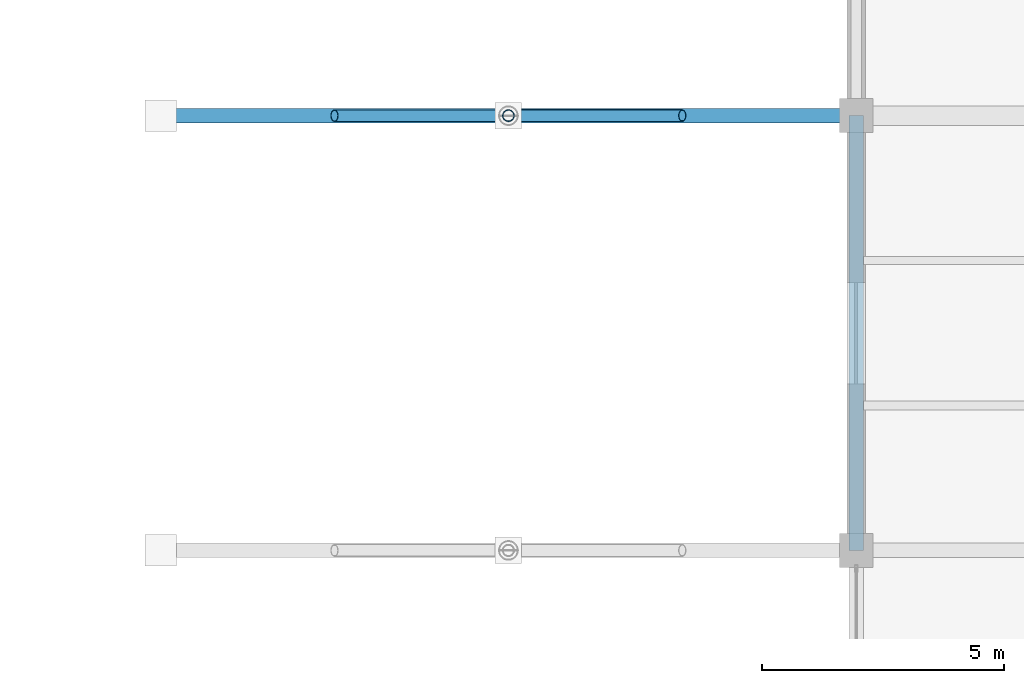
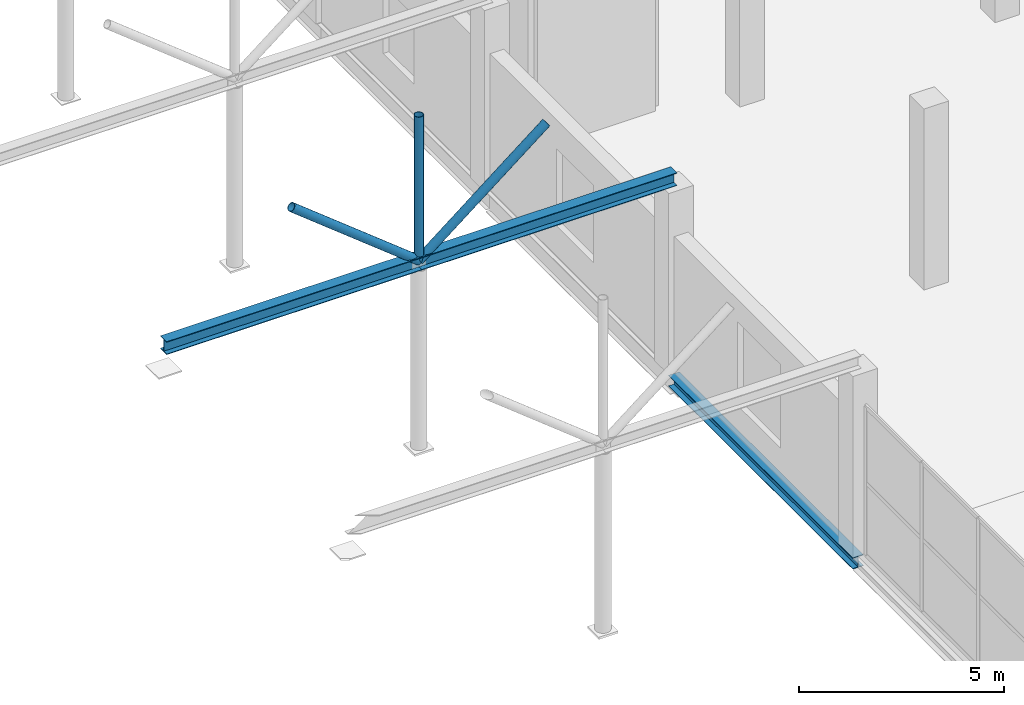
# One storey, part 60 of 147: 3 beams, 3 members.
"""IFC4 building model written with IfcOpenShell, lengths in metres."""

from ifc_helpers import new_model, si_unit, direction, frame, origin, origin_2d, place, context, subcontext, project, spatial, hollow_circle, i_section, extrude, material, material_profile, profile_set, type_object, element, save


model = new_model("IFC4")

# Units and contexts
model_context = context("Model", 3, precision=1e-05, world=origin(), true_north=direction((0.0, 1.0)))
body_context = subcontext(model_context, "Body", "Model", "MODEL_VIEW")
ifc_project = project(units=[si_unit("LENGTHUNIT", "METRE"), si_unit("AREAUNIT", "SQUARE_METRE"), si_unit("VOLUMEUNIT", "CUBIC_METRE"), si_unit("PLANEANGLEUNIT", "RADIAN"), si_unit("MASSUNIT", "GRAM", prefix="KILO")], contexts=[model_context])

# Site, building, storey
site_placement = place(None, origin())
site = spatial("IfcSite", under=ifc_project, at=site_placement, CompositionType="ELEMENT")
building_placement = place(site_placement, origin())
building = spatial("IfcBuilding", under=site, at=building_placement, Name="Sundgate Opera House", CompositionType="ELEMENT")
storey_placement = place(building_placement, frame((0.0, 0.0, 6.0)))
storey = spatial("IfcBuildingStorey", under=building, at=storey_placement, Name="L01", CompositionType="ELEMENT", Elevation=6.0)

# Beams
ifc_material_1 = material(Name="Steel S355J2", Category="steel")
ifc_material_profile_1 = material_profile(ifc_material_1, i_section(OverallWidth=0.300048828125, OverallDepth=0.330078125, WebThickness=0.009521484375, FlangeThickness=0.0166015625, at=origin_2d()), Name="HEA 340")
ifc_profile_set_1 = profile_set([ifc_material_profile_1], Name="Steel S355J2")
beam_type_1 = type_object("IfcBeamType", Name="BM-GR-HEA340", PredefinedType="BEAM", material=ifc_profile_set_1)
beam_placement = place(storey_placement, frame((95.39990234375, 69.0, -0.465087890625), z_axis=(0.0, 1.0, 0.0), x_axis=(-1.0, 0.0, 0.0)))
element("IfcBeam", 1, at=beam_placement, inside=storey, type_object=beam_type_1, Name="L01 Primary N-S Girder B1151", PredefinedType="BEAM", context=body_context, shape_type="SweptSolid", body=[
    extrude(i_section(OverallWidth=0.300048828125, OverallDepth=0.330078125, WebThickness=0.009521484375, FlangeThickness=0.0166015625, at=origin_2d()), origin(), (0.0, 0.0, 1.0), 9.0),
])
ifc_material_2 = material(Name="Steel S355J2", Category="steel")
ifc_material_profile_2 = material_profile(ifc_material_2, i_section(OverallWidth=0.300048828125, OverallDepth=0.389892578125, WebThickness=0.010986328125, FlangeThickness=0.01904296875, at=origin_2d()), Name="HEA 400")
ifc_profile_set_2 = profile_set([ifc_material_profile_2], Name="Steel S355J2")
beam_type_2 = type_object("IfcBeamType", Name="BM-GR-HEA400", PredefinedType="BEAM", material=ifc_profile_set_2)
for number, where, z_axis, x_axis, name in (
    (2, (81.0, 78.0, 5.5849609375), (1.0, 0.0, 0.0), (0.0, 1.0, 0.0), "L01 Passage Arch Tie Beam B3409"),
    (3, (88.199951171875, 78.0, 5.5849609375), (1.0, 0.0, 0.0), (0.0, 1.0, 0.0), "L01 Passage Arch Tie Beam B3410"),
):
    element("IfcBeam", number, at=place(storey_placement, frame(where, z_axis=z_axis, x_axis=x_axis)), inside=storey, type_object=beam_type_2, Name=name, PredefinedType="BEAM", context=body_context, shape_type="SweptSolid", body=[
        extrude(i_section(OverallWidth=0.300048828125, OverallDepth=0.389892578125, WebThickness=0.010986328125, FlangeThickness=0.01904296875, at=origin_2d()), origin(), (0.0, 0.0, 1.0), 7.199951171875),
    ])

# Members
ifc_material_3 = material(Name="Steel S355J2", Category="steel")
ifc_material_profile_3 = material_profile(ifc_material_3, hollow_circle(Radius=0.122314453125, WallThickness=0.012451171875, at=origin_2d()), Name="CHS 244.5x12.5")
ifc_profile_set_3 = profile_set([ifc_material_profile_3], Name="Steel S355J2")
member_type = type_object("IfcMemberType", Name="MB-STRUT-CHS244", PredefinedType="STRUT", material=ifc_profile_set_3)
member_1_placement = place(storey_placement, frame((88.199951171875, 78.0, 5.594970703125), z_axis=(-0.78350570776, 0.0, 0.621384587762), x_axis=(0.0, -1.0, 0.0)))
element("IfcMember", 4, at=member_1_placement, inside=storey, type_object=member_type, Name="Passage Arch Spandrel Strut M0339", PredefinedType="STRUT", context=body_context, shape_type="SweptSolid", body=[
    extrude(hollow_circle(Radius=0.122314453125, WallThickness=0.012451171875, at=origin_2d()), origin(), (0.0, 0.0, 1.0), 4.594482421875),
])
member_2_placement = place(storey_placement, frame((88.199951171875, 78.0, 5.594970703125), z_axis=(0.783526223691, 0.0, 0.621358718285), x_axis=(0.0, 1.0, 0.0)))
element("IfcMember", 5, at=member_2_placement, inside=storey, type_object=member_type, Name="Passage Arch Spandrel Strut M0340", PredefinedType="STRUT", context=body_context, shape_type="SweptSolid", body=[
    extrude(hollow_circle(Radius=0.122314453125, WallThickness=0.012451171875, at=origin_2d()), origin(), (0.0, 0.0, 1.0), 4.5947265625),
])
member_3_placement = place(storey_placement, frame((88.199951171875, 78.0, 5.594970703125), z_axis=(0.0, 0.0, 1.0), x_axis=(1.0, 0.0, 0.0)))
element("IfcMember", 6, at=member_3_placement, inside=storey, type_object=member_type, Name="Passage Arch Crown Post M0341", PredefinedType="STRUT", context=body_context, shape_type="SweptSolid", body=[
    extrude(hollow_circle(Radius=0.122314453125, WallThickness=0.012451171875, at=origin_2d()), origin(), (0.0, 0.0, 1.0), 4.35498046875),
])

save(model, "model.ifc")
